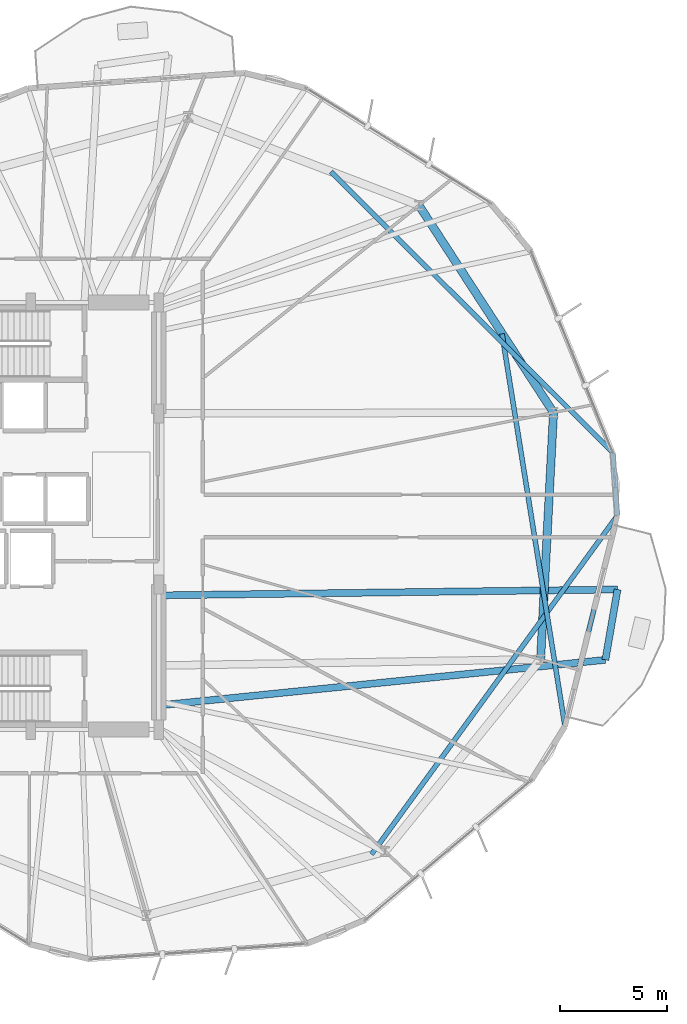
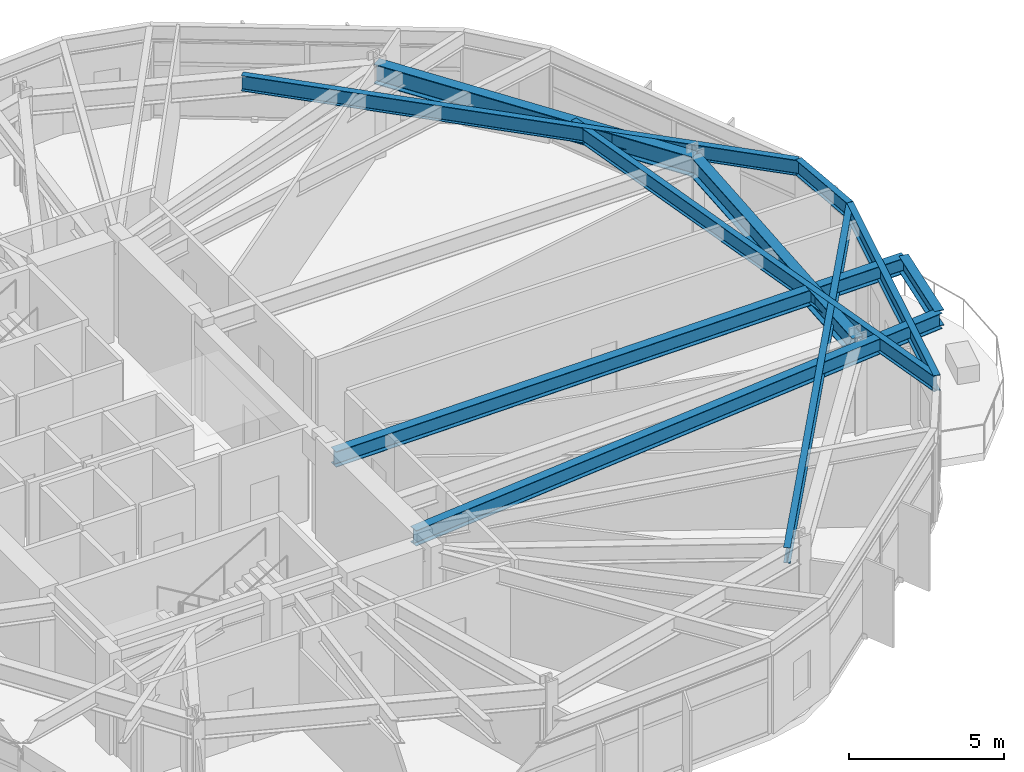
# One storey, part 10 of 22: 10 beams.
"""IFC4 building model written with IfcOpenShell, lengths in metres."""

from ifc_helpers import new_model, si_unit, direction, frame, origin, origin_2d, place, context, subcontext, project, spatial, i_section, extrude, material, material_profile, profile_set, type_object, element, save


model = new_model("IFC4")

# Units and contexts
model_context = context("Model", 3, precision=1e-05, world=origin(), true_north=direction((0.0, 1.0)))
body_context = subcontext(model_context, "Body", "Model", "MODEL_VIEW")
ifc_project = project(units=[si_unit("LENGTHUNIT", "METRE"), si_unit("AREAUNIT", "SQUARE_METRE"), si_unit("VOLUMEUNIT", "CUBIC_METRE"), si_unit("PLANEANGLEUNIT", "RADIAN"), si_unit("MASSUNIT", "GRAM", prefix="KILO")], contexts=[model_context])

# Site, building, storey
site_placement = place(None, origin())
site = spatial("IfcSite", under=ifc_project, at=site_placement, CompositionType="ELEMENT")
building_placement = place(site_placement, origin())
building = spatial("IfcBuilding", under=site, at=building_placement, Name="Soratama Intermodal Tower", CompositionType="ELEMENT")
storey_placement = place(building_placement, frame((0.0, 0.0, 42.60009765625)))
storey = spatial("IfcBuildingStorey", under=building, at=storey_placement, Name="L09", CompositionType="ELEMENT", Elevation=42.60009765625)

# Beams
ifc_material_1 = material(Name="Structural steel ASTM A992 Grade 50", Category="steel")
ifc_material_profile_1 = material_profile(ifc_material_1, i_section(OverallWidth=0.324951171875, OverallDepth=0.615966796875, WebThickness=0.013916015625, FlangeThickness=0.021484375, FilletRadius=0.013916015625, at=origin_2d()), Name="W24X117")
ifc_profile_set_1 = profile_set([ifc_material_profile_1], Name="Structural steel ASTM A992 Grade 50")
beam_type_1 = type_object("IfcBeamType", Name="BM-CANT-W24X117", PredefinedType="BEAM", material=ifc_profile_set_1)
beam_1_placement = place(storey_placement, frame((65.510986328125, 18.26806640625, 3.391845703125), z_axis=(0.169914252088, 0.985458850961, 0.0), x_axis=(-0.985458850961, 0.169914252088, 0.0)))
element("IfcBeam", 1, at=beam_1_placement, inside=storey, type_object=beam_type_1, Name="BM-L09-CBHDR-1", PredefinedType="BEAM", context=body_context, shape_type="SweptSolid", body=[
    extrude(i_section(OverallWidth=0.324951171875, OverallDepth=0.615966796875, WebThickness=0.013916015625, FlangeThickness=0.021484375, FilletRadius=0.013916015625, at=origin_2d()), origin(), (0.0, 0.0, 1.0), 3.343505859375),
])
beam_2_placement = place(storey_placement, frame((44.639892578125, 16.136962890625, 3.391845703125), z_axis=(0.994827400832, 0.101579734955, 0.0), x_axis=(-0.101579734955, 0.994827400832, 0.0)))
element("IfcBeam", 2, at=beam_2_placement, inside=storey, type_object=beam_type_1, Name="BM-L09-CANT-1-1", PredefinedType="BEAM", context=body_context, shape_type="SweptSolid", body=[
    extrude(i_section(OverallWidth=0.324951171875, OverallDepth=0.615966796875, WebThickness=0.013916015625, FlangeThickness=0.021484375, FilletRadius=0.013916015625, at=origin_2d()), origin(), (0.0, 0.0, 1.0), 20.9794921875),
])
beam_3_placement = place(storey_placement, frame((44.639892578125, 21.285888671875, 3.391845703125), z_axis=(0.999916483957, 0.012923819499, 0.0), x_axis=(-0.012923819499, 0.999916483957, 0.0)))
element("IfcBeam", 3, at=beam_3_placement, inside=storey, type_object=beam_type_1, Name="BM-L09-CANT-1-2", PredefinedType="BEAM", context=body_context, shape_type="SweptSolid", body=[
    extrude(i_section(OverallWidth=0.324951171875, OverallDepth=0.615966796875, WebThickness=0.013916015625, FlangeThickness=0.021484375, FilletRadius=0.013916015625, at=origin_2d()), origin(), (0.0, 0.0, 1.0), 21.44091796875),
])
ifc_material_2 = material(Name="Structural steel ASTM A992 Grade 50", Category="steel")
ifc_material_profile_2 = material_profile(ifc_material_2, i_section(OverallWidth=0.382080078125, OverallDepth=0.779052734375, WebThickness=0.01806640625, FlangeThickness=0.030029296875, FilletRadius=0.01806640625, at=origin_2d()), Name="W30X191")
ifc_profile_set_2 = profile_set([ifc_material_profile_2], Name="Structural steel ASTM A992 Grade 50")
beam_type_2 = type_object("IfcBeamType", Name="BM-RING-W30X191", PredefinedType="BEAM", material=ifc_profile_set_2)
beam_4_placement = place(storey_placement, frame((63.08203125, 29.844970703125, 3.310302734375), z_axis=(-0.544623370352, 0.838680740489, 0.0), x_axis=(-0.838680740489, -0.544623370352, 0.0)))
element("IfcBeam", 4, at=beam_4_placement, inside=storey, type_object=beam_type_2, Name="BM-L09-RING-01", PredefinedType="BEAM", context=body_context, shape_type="SweptSolid", body=[
    extrude(i_section(OverallWidth=0.382080078125, OverallDepth=0.779052734375, WebThickness=0.01806640625, FlangeThickness=0.030029296875, FilletRadius=0.01806640625, at=origin_2d()), origin(), (0.0, 0.0, 1.0), 11.569580078125),
])
beam_5_placement = place(storey_placement, frame((62.47705078125, 18.291015625, 3.310302734375), z_axis=(0.052289698717, 0.998631957935, 0.0), x_axis=(-0.998631957935, 0.052289698717, 0.0)))
element("IfcBeam", 5, at=beam_5_placement, inside=storey, type_object=beam_type_2, Name="BM-L09-RING-10", PredefinedType="BEAM", context=body_context, shape_type="SweptSolid", body=[
    extrude(i_section(OverallWidth=0.382080078125, OverallDepth=0.779052734375, WebThickness=0.01806640625, FlangeThickness=0.030029296875, FilletRadius=0.01806640625, at=origin_2d()), origin(), (0.0, 0.0, 1.0), 11.56982421875),
])
ifc_material_3 = material(Name="Structural steel ASTM A992 Grade 50", Category="steel")
ifc_material_profile_3 = material_profile(ifc_material_3, i_section(OverallWidth=0.22900390625, OverallDepth=0.612060546875, WebThickness=0.011962890625, FlangeThickness=0.01953125, FilletRadius=0.012939453125, at=origin_2d()), Name="W24X84")
ifc_profile_set_3 = profile_set([ifc_material_profile_3], Name="Structural steel ASTM A992 Grade 50")
beam_type_3 = type_object("IfcBeamType", Name="BM-SPN-W24X84", PredefinedType="SPANDREL", material=ifc_profile_set_3)
beam_6_placement = place(storey_placement, frame((63.6201171875, 15.14892578125, 3.393798828125), z_axis=(0.240528792374, 0.970642004057, 0.0), x_axis=(-0.970642004057, 0.240528792374, 0.0)))
element("IfcBeam", 6, at=beam_6_placement, inside=storey, type_object=beam_type_3, Name="BS-L09-F10", PredefinedType="SPANDREL", context=body_context, shape_type="SweptSolid", body=[
    extrude(i_section(OverallWidth=0.22900390625, OverallDepth=0.612060546875, WebThickness=0.011962890625, FlangeThickness=0.01953125, FilletRadius=0.012939453125, at=origin_2d()), origin(), (0.0, 0.0, 1.0), 10.164306640625),
])
beam_7_placement = place(storey_placement, frame((66.06494140625, 25.014892578125, 3.393798828125), z_axis=(-0.071077506589, 0.997470795591, 0.0), x_axis=(-0.997470795591, -0.071077506589, 0.0)))
element("IfcBeam", 7, at=beam_7_placement, inside=storey, type_object=beam_type_3, Name="BS-L09-CRN10", PredefinedType="SPANDREL", context=body_context, shape_type="SweptSolid", body=[
    extrude(i_section(OverallWidth=0.22900390625, OverallDepth=0.612060546875, WebThickness=0.011962890625, FlangeThickness=0.01953125, FilletRadius=0.012939453125, at=origin_2d()), origin(), (0.0, 0.0, 1.0), 2.9677734375),
])
ifc_material_4 = material(Name="Structural steel ASTM A992 Grade 50", Category="steel")
ifc_material_profile_4 = material_profile(ifc_material_4, i_section(OverallWidth=0.22900390625, OverallDepth=0.612060546875, WebThickness=0.011962890625, FlangeThickness=0.01953125, FilletRadius=0.012939453125, at=origin_2d()), Name="W24X84")
ifc_profile_set_4 = profile_set([ifc_material_profile_4], Name="Structural steel ASTM A992 Grade 50")
beam_type_4 = type_object("IfcBeamType", Name="BM-TIE-W24X84", PredefinedType="BEAM", material=ifc_profile_set_4)
beam_8_placement = place(storey_placement, frame((52.6630859375, 41.112060546875, 3.393798828125), z_axis=(0.708554403515, -0.705656189131, 0.0), x_axis=(0.705656189131, 0.708554403515, 0.0)))
element("IfcBeam", 8, at=beam_8_placement, inside=storey, type_object=beam_type_4, Name="BM-L09-TIE0-01", PredefinedType="BEAM", context=body_context, shape_type="SweptSolid", body=[
    extrude(i_section(OverallWidth=0.22900390625, OverallDepth=0.612060546875, WebThickness=0.011962890625, FlangeThickness=0.01953125, FilletRadius=0.012939453125, at=origin_2d()), origin(), (0.0, 0.0, 1.0), 18.61669921875),
])
beam_9_placement = place(storey_placement, frame((60.669921875, 33.531005859375, 3.393798828125), z_axis=(0.158465110354, -0.987364577449, 0.0), x_axis=(0.987364577449, 0.158465110354, 0.0)))
element("IfcBeam", 9, at=beam_9_placement, inside=storey, type_object=beam_type_4, Name="BM-L09-TIE0-10", PredefinedType="BEAM", context=body_context, shape_type="SweptSolid", body=[
    extrude(i_section(OverallWidth=0.22900390625, OverallDepth=0.612060546875, WebThickness=0.011962890625, FlangeThickness=0.01953125, FilletRadius=0.012939453125, at=origin_2d()), origin(), (0.0, 0.0, 1.0), 18.617431640625),
])
beam_10_placement = place(storey_placement, frame((54.56005859375, 9.156005859375, 3.393798828125), z_axis=(0.587208085596, 0.809436016131, 0.0), x_axis=(-0.809436016131, 0.587208085596, 0.0)))
element("IfcBeam", 10, at=beam_10_placement, inside=storey, type_object=beam_type_4, Name="BM-L09-TIE1-10", PredefinedType="BEAM", context=body_context, shape_type="SweptSolid", body=[
    extrude(i_section(OverallWidth=0.22900390625, OverallDepth=0.612060546875, WebThickness=0.011962890625, FlangeThickness=0.01953125, FilletRadius=0.012939453125, at=origin_2d()), origin(), (0.0, 0.0, 1.0), 19.592529296875),
])

save(model, "model.ifc")
